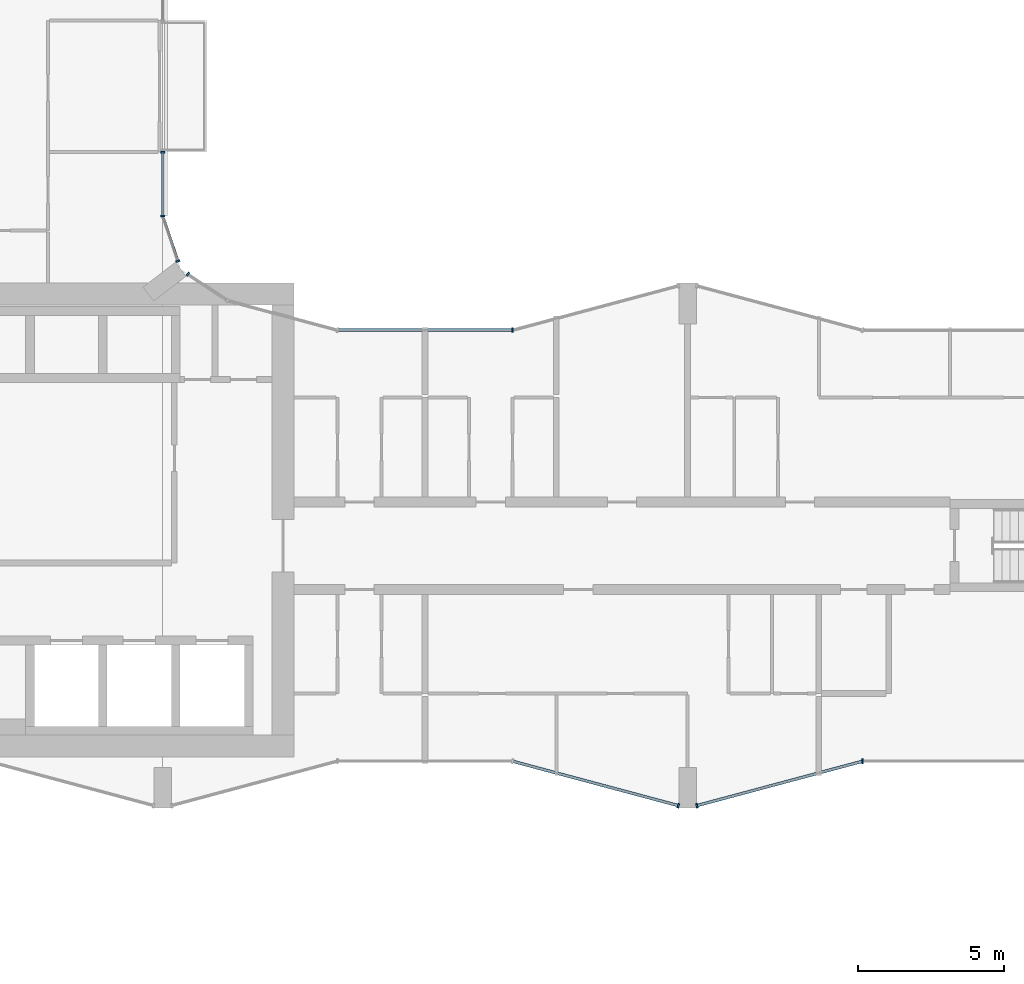
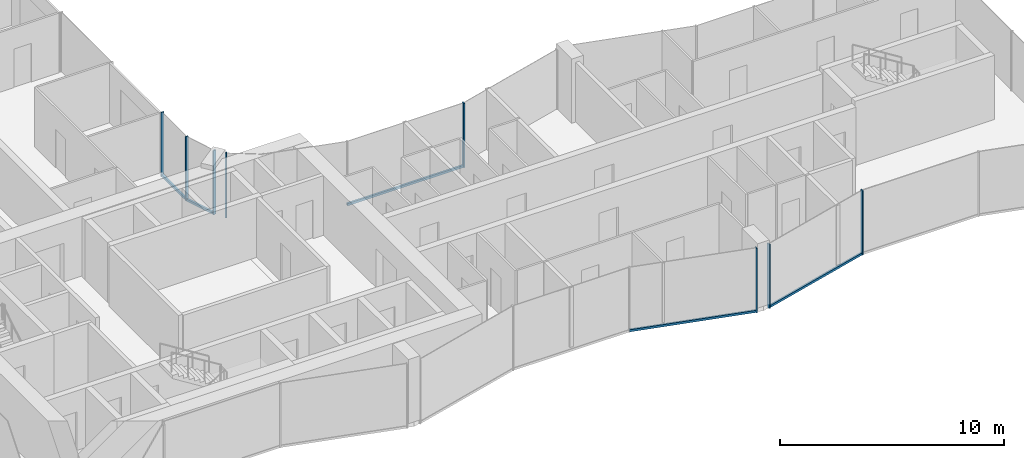
# One storey, part 4 of 23: 13 members, 7 elements without a shape of their own.
"""IFC4 building model written with IfcOpenShell, lengths in metres."""

from ifc_helpers import new_model, si_unit, direction, frame, origin, origin_2d, place, context, subcontext, project, spatial, rectangle, extrude, material, layer, layer_set, material_profile, profile_set, type_object, element, aggregate, save


model = new_model("IFC4")

# Units and contexts
model_context = context("Model", 3, precision=1e-05, world=origin(), true_north=direction((0.0, 1.0)))
body_context = subcontext(model_context, "Body", "Model", "MODEL_VIEW")
ifc_project = project(units=[si_unit("LENGTHUNIT", "METRE"), si_unit("AREAUNIT", "SQUARE_METRE"), si_unit("VOLUMEUNIT", "CUBIC_METRE"), si_unit("PLANEANGLEUNIT", "RADIAN"), si_unit("MASSUNIT", "GRAM", prefix="KILO")], contexts=[model_context])

# Site, building, storey
site_placement = place(None, origin())
site = spatial("IfcSite", under=ifc_project, at=site_placement, CompositionType="ELEMENT")
building_placement = place(site_placement, origin())
building = spatial("IfcBuilding", under=site, at=building_placement, Name="Plateau Cross Towers", CompositionType="ELEMENT")
storey_placement = place(building_placement, frame((0.0, 0.0, 40.800048828125)))
storey = spatial("IfcBuildingStorey", under=building, at=storey_placement, Name="L09", CompositionType="ELEMENT", Elevation=40.800048828125)

# Curtain wall, member
ifc_material_1 = material(Name="Dark low-iron glass", Category="glass")
ifc_layer_1 = layer(ifc_material_1, 0.239990234375)
ifc_layer_set_1 = layer_set([ifc_layer_1], Name="Dark low-iron glass")
curtain_wall_type_1 = type_object("IfcCurtainWallType", Name="Curtain wall flush unitised CW-B", PredefinedType="NOTDEFINED", material=ifc_layer_set_1)
curtain_wall_1_placement = place(storey_placement, origin())
curtain_wall_1 = element("IfcCurtainWall", 1, at=curtain_wall_1_placement, inside=storey, type_object=curtain_wall_type_1, Name="ENV/A/L09/A202_174", PredefinedType="NOTDEFINED")
ifc_material_2 = material(Name="Black anodised aluminium", Category="aluminium")
ifc_material_profile_1 = material_profile(ifc_material_2, rectangle(XDim=0.06005859375, YDim=0.139892578125, at=origin_2d()), Name="MULLION 60x140")
ifc_profile_set_1 = profile_set([ifc_material_profile_1], Name="Black anodised aluminium")
member_type_1 = type_object("IfcMemberType", Name="Mullion 60x140 flush unitised", PredefinedType="MULLION", material=ifc_profile_set_1)
member_1_placement = place(storey_placement, frame((18.86962890625, 18.30908203125, -0.25), z_axis=(0.0, 0.0, 1.0), x_axis=(-0.831521253329, 0.555492938984, 0.0)))
member_1 = element("IfcMember", 2, at=member_1_placement, type_object=member_type_1, Name="CW-B mullion 2", PredefinedType="MULLION", context=body_context, shape_type="SweptSolid", body=[
    extrude(rectangle(XDim=0.06005859375, YDim=0.139892578125, at=origin_2d()), origin(), (0.0, 0.0, 1.0), 3.5),
])
aggregate(curtain_wall_1, [member_1])

curtain_wall_2_placement = place(storey_placement, origin())
curtain_wall_2 = element("IfcCurtainWall", 3, at=curtain_wall_2_placement, inside=storey, type_object=curtain_wall_type_1, Name="ENV/A/L09/A185_188", PredefinedType="NOTDEFINED")
member_2_placement = place(storey_placement, frame((18.523681640625, 18.760009765625, -0.25), z_axis=(0.0, 0.0, 1.0), x_axis=(-0.321469161574, 0.94692004845, 0.0)))
member_2 = element("IfcMember", 4, at=member_2_placement, type_object=member_type_1, Name="CW-B mullion 1", PredefinedType="MULLION", context=body_context, shape_type="SweptSolid", body=[
    extrude(rectangle(XDim=0.06005859375, YDim=0.139892578125, at=origin_2d()), origin(), (0.0, 0.0, 1.0), 3.5),
])

# Curtain wall, members
curtain_wall_3_placement = place(storey_placement, origin())
curtain_wall_3 = element("IfcCurtainWall", 5, at=curtain_wall_3_placement, inside=storey, type_object=curtain_wall_type_1, Name="ENV/A/L09/A180_203", PredefinedType="NOTDEFINED")
member_3_placement = place(storey_placement, frame((18.0, 20.30224609375, -0.25), z_axis=(0.0, 0.0, 1.0), x_axis=(0.0, 1.0, 0.0)))
member_3 = element("IfcMember", 6, at=member_3_placement, type_object=member_type_1, Name="CW-B mullion 1", PredefinedType="MULLION", context=body_context, shape_type="SweptSolid", body=[
    extrude(rectangle(XDim=0.06005859375, YDim=0.139892578125, at=origin_2d()), origin(), (0.0, 0.0, 1.0), 3.5),
])
member_4_placement = place(storey_placement, frame((18.0, 22.489990234375, -0.25), z_axis=(0.0, 0.0, 1.0), x_axis=(0.0, 1.0, 0.0)))
member_4 = element("IfcMember", 7, at=member_4_placement, type_object=member_type_1, Name="CW-B mullion 2", PredefinedType="MULLION", context=body_context, shape_type="SweptSolid", body=[
    extrude(rectangle(XDim=0.06005859375, YDim=0.139892578125, at=origin_2d()), origin(), (0.0, 0.0, 1.0), 3.5),
])

# Curtain wall, member
ifc_layer_2 = layer(ifc_material_1, 0.260009765625)
ifc_layer_set_2 = layer_set([ifc_layer_2], Name="Dark low-iron glass")
curtain_wall_type_2 = type_object("IfcCurtainWallType", Name="Curtain wall fluted unitised CW-A", PredefinedType="NOTDEFINED", material=ifc_layer_set_2)
curtain_wall_4_placement = place(storey_placement, origin())
curtain_wall_4 = element("IfcCurtainWall", 8, at=curtain_wall_4_placement, inside=storey, type_object=curtain_wall_type_2, Name="ENV/A/L09/A300_16", PredefinedType="NOTDEFINED")
ifc_material_profile_2 = material_profile(ifc_material_2, rectangle(XDim=0.06005859375, YDim=0.159912109375, at=origin_2d()), Name="MULLION 60x160")
ifc_profile_set_2 = profile_set([ifc_material_profile_2], Name="Black anodised aluminium")
member_type_2 = type_object("IfcMemberType", Name="Mullion 60x160 fluted unitised", PredefinedType="MULLION", material=ifc_profile_set_2)
member_5_placement = place(storey_placement, frame((35.68212890625, 0.085205078125, -0.25), z_axis=(0.0, 0.0, 1.0), x_axis=(0.965957983404, -0.258699003279, 0.0)))
member_5 = element("IfcMember", 9, at=member_5_placement, type_object=member_type_2, Name="CW-A mullion 2", PredefinedType="MULLION", context=body_context, shape_type="SweptSolid", body=[
    extrude(rectangle(XDim=0.06005859375, YDim=0.159912109375, at=origin_2d()), origin(), (0.0, 0.0, 1.0), 3.5),
])

curtain_wall_5_placement = place(storey_placement, origin())
curtain_wall_5 = element("IfcCurtainWall", 10, at=curtain_wall_5_placement, inside=storey, type_object=curtain_wall_type_2, Name="ENV/A/L09/A363_1", PredefinedType="NOTDEFINED")
member_6_placement = place(storey_placement, frame((36.31787109375, 0.085205078125, -0.25), z_axis=(0.0, 0.0, 1.0), x_axis=(0.965957983404, 0.258699003279, 0.0)))
member_6 = element("IfcMember", 11, at=member_6_placement, type_object=member_type_2, Name="CW-A mullion 1", PredefinedType="MULLION", context=body_context, shape_type="SweptSolid", body=[
    extrude(rectangle(XDim=0.06005859375, YDim=0.159912109375, at=origin_2d()), origin(), (0.0, 0.0, 1.0), 3.5),
])

curtain_wall_6_placement = place(storey_placement, origin())
curtain_wall_6 = element("IfcCurtainWall", 12, at=curtain_wall_6_placement, inside=storey, type_object=curtain_wall_type_2, Name="ENV/A/L09/A420_16", PredefinedType="NOTDEFINED")
member_7_placement = place(storey_placement, frame((42.0, 1.60693359375, -0.25), z_axis=(0.0, 0.0, 1.0), x_axis=(1.0, 0.0, 0.0)))
member_7 = element("IfcMember", 13, at=member_7_placement, type_object=member_type_2, Name="CW-A mullion 1", PredefinedType="MULLION", context=body_context, shape_type="SweptSolid", body=[
    extrude(rectangle(XDim=0.06005859375, YDim=0.159912109375, at=origin_2d()), origin(), (0.0, 0.0, 1.0), 3.5),
])
aggregate(curtain_wall_6, [member_7])

curtain_wall_7_placement = place(storey_placement, origin())
curtain_wall_7 = element("IfcCurtainWall", 14, at=curtain_wall_7_placement, inside=storey, type_object=curtain_wall_type_2, Name="ENV/A/L09/A300_164", PredefinedType="NOTDEFINED")
member_8_placement = place(storey_placement, frame((30.0, 16.39306640625, -0.25), z_axis=(0.0, 0.0, 1.0), x_axis=(-1.0, 0.0, 0.0)))
member_8 = element("IfcMember", 15, at=member_8_placement, type_object=member_type_2, Name="CW-A mullion 1", PredefinedType="MULLION", context=body_context, shape_type="SweptSolid", body=[
    extrude(rectangle(XDim=0.06005859375, YDim=0.159912109375, at=origin_2d()), origin(), (0.0, 0.0, 1.0), 3.5),
])

# Member
ifc_material_profile_3 = material_profile(ifc_material_2, rectangle(XDim=0.10009765625, YDim=0.1201171875, at=origin_2d()), Name="TRANSOM 100x120")
ifc_profile_set_3 = profile_set([ifc_material_profile_3], Name="Black anodised aluminium")
member_type_3 = type_object("IfcMemberType", Name="Transom 100x120 flush unitised", PredefinedType="USERDEFINED", material=ifc_profile_set_3)
member_9_placement = place(storey_placement, frame((18.523681640625, 18.760009765625, -0.18994140625), z_axis=(-0.321529174838, 0.946899672472, 0.0), x_axis=(-0.946899672472, -0.321529174838, 0.0)))
member_9 = element("IfcMember", 16, at=member_9_placement, type_object=member_type_3, Name="CW-B transom", ObjectType="TRANSOM", PredefinedType="USERDEFINED", context=body_context, shape_type="SweptSolid", body=[
    extrude(rectangle(XDim=0.10009765625, YDim=0.1201171875, at=origin_2d()), origin(), (0.0, 0.0, 1.0), 1.628662109375),
])

aggregate(curtain_wall_2, [member_2, member_9])

member_10_placement = place(storey_placement, frame((18.0, 20.30224609375, -0.18994140625), z_axis=(0.0, 1.0, 0.0), x_axis=(-1.0, 0.0, 0.0)))
member_10 = element("IfcMember", 17, at=member_10_placement, type_object=member_type_3, Name="CW-B transom", ObjectType="TRANSOM", PredefinedType="USERDEFINED", context=body_context, shape_type="SweptSolid", body=[
    extrude(rectangle(XDim=0.10009765625, YDim=0.1201171875, at=origin_2d()), origin(), (0.0, 0.0, 1.0), 2.187744140625),
])

aggregate(curtain_wall_3, [member_3, member_4, member_10])

ifc_material_profile_4 = material_profile(ifc_material_2, rectangle(XDim=0.10009765625, YDim=0.1201171875, at=origin_2d()), Name="TRANSOM 100x120")
ifc_profile_set_4 = profile_set([ifc_material_profile_4], Name="Black anodised aluminium")
member_type_4 = type_object("IfcMemberType", Name="Transom 100x120 fluted unitised", PredefinedType="USERDEFINED", material=ifc_profile_set_4)
member_11_placement = place(storey_placement, frame((30.0, 1.60693359375, -0.18994140625), z_axis=(0.965959534794, -0.258693210465, 0.0), x_axis=(0.258693210465, 0.965959534794, 0.0)))
member_11 = element("IfcMember", 18, at=member_11_placement, type_object=member_type_4, Name="CW-A transom", ObjectType="TRANSOM", PredefinedType="USERDEFINED", context=body_context, shape_type="SweptSolid", body=[
    extrude(rectangle(XDim=0.10009765625, YDim=0.1201171875, at=origin_2d()), origin(), (0.0, 0.0, 1.0), 5.88232421875),
])

aggregate(curtain_wall_4, [member_5, member_11])

member_12_placement = place(storey_placement, frame((36.31787109375, 0.085205078125, -0.18994140625), z_axis=(0.965959534794, 0.258693210465, 0.0), x_axis=(-0.258693210465, 0.965959534794, 0.0)))
member_12 = element("IfcMember", 19, at=member_12_placement, type_object=member_type_4, Name="CW-A transom", ObjectType="TRANSOM", PredefinedType="USERDEFINED", context=body_context, shape_type="SweptSolid", body=[
    extrude(rectangle(XDim=0.10009765625, YDim=0.1201171875, at=origin_2d()), origin(), (0.0, 0.0, 1.0), 5.88232421875),
])

aggregate(curtain_wall_5, [member_6, member_12])

member_13_placement = place(storey_placement, frame((30.0, 16.39306640625, -0.18994140625), z_axis=(-1.0, 0.0, 0.0), x_axis=(0.0, -1.0, 0.0)))
member_13 = element("IfcMember", 20, at=member_13_placement, type_object=member_type_4, Name="CW-A transom", ObjectType="TRANSOM", PredefinedType="USERDEFINED", context=body_context, shape_type="SweptSolid", body=[
    extrude(rectangle(XDim=0.10009765625, YDim=0.1201171875, at=origin_2d()), origin(), (0.0, 0.0, 1.0), 6.0),
])

aggregate(curtain_wall_7, [member_8, member_13])

save(model, "model.ifc")
